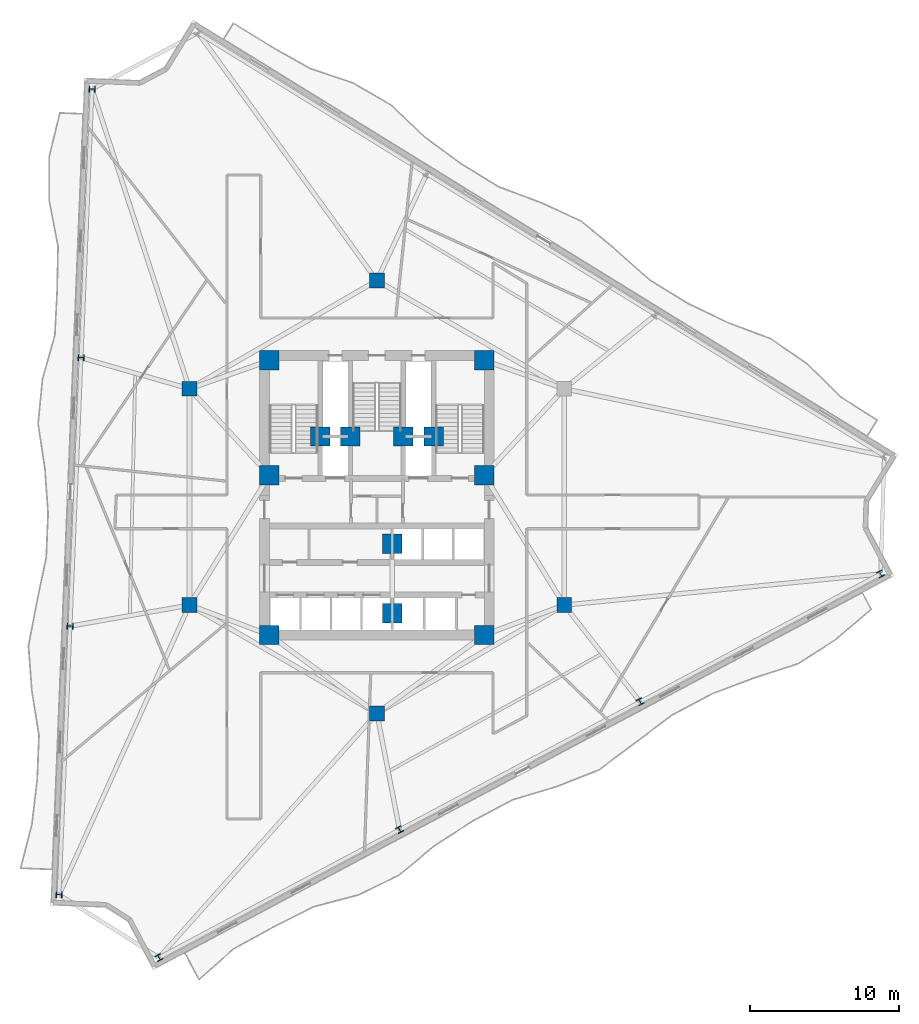
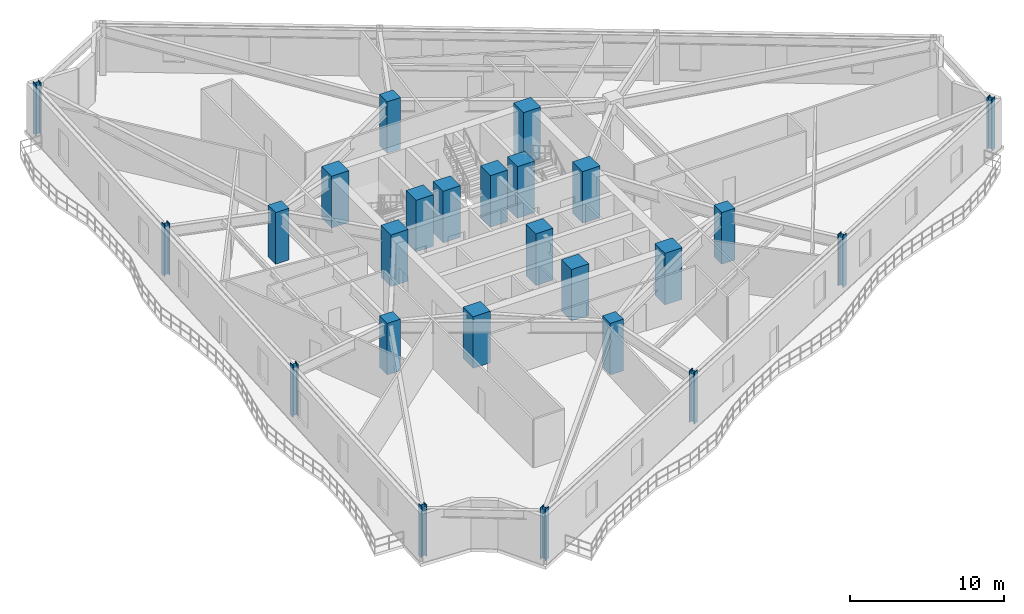
# One storey, part 1 of 12: 25 columns.
"""IFC4 building model written with IfcOpenShell, lengths in metres."""

from ifc_helpers import new_model, si_unit, direction, frame, origin, origin_2d, place, context, subcontext, project, spatial, rectangle, i_section, extrude, material, material_profile, profile_set, type_object, element, save


model = new_model("IFC4")

# Units and contexts
model_context = context("Model", 3, precision=1e-05, world=origin(), true_north=direction((0.0, 1.0)))
body_context = subcontext(model_context, "Body", "Model", "MODEL_VIEW")
ifc_project = project(units=[si_unit("LENGTHUNIT", "METRE"), si_unit("AREAUNIT", "SQUARE_METRE"), si_unit("VOLUMEUNIT", "CUBIC_METRE"), si_unit("PLANEANGLEUNIT", "RADIAN"), si_unit("MASSUNIT", "GRAM", prefix="KILO")], contexts=[model_context])

# Site, building, storey
site_placement = place(None, origin())
site = spatial("IfcSite", under=ifc_project, at=site_placement, CompositionType="ELEMENT")
building_placement = place(site_placement, origin())
building = spatial("IfcBuilding", under=site, at=building_placement, Name="Apsidion Concourse Tower", CompositionType="ELEMENT")
storey_placement = place(building_placement, frame((0.0, 0.0, 173.699951171875)))
storey = spatial("IfcBuildingStorey", under=building, at=storey_placement, Name="L40", CompositionType="ELEMENT", Elevation=173.699951171875)

# Columns
ifc_material_1 = material(Name="Concrete C50/60", Category="concrete")
ifc_material_profile_1 = material_profile(ifc_material_1, rectangle(XDim=1.0, YDim=1.0, at=origin_2d()), Name="RC 1000x1000")
ifc_profile_set_1 = profile_set([ifc_material_profile_1], Name="Concrete C50/60")
column_type_1 = type_object("IfcColumnType", Name="COL-RC-1000", PredefinedType="COLUMN", material=ifc_profile_set_1)
for number, where, z_axis, x_axis, name in (
    (1, (-12.56005859375, -7.25, 0.0), (0.0, 0.0, 1.0), (1.0, 0.0, 0.0), "L40 Interior Spine Column IC1"),
    (2, (12.56005859375, -7.25, 0.0), (0.0, 0.0, 1.0), (1.0, 0.0, 0.0), "L40 Interior Spine Column IC2"),
    (3, (0.0, 14.5, 0.0), (0.0, 0.0, 1.0), (1.0, 0.0, 0.0), "L40 Interior Spine Column IC4"),
    (4, (-12.56005859375, 7.25, 0.0), (0.0, 0.0, 1.0), (1.0, 0.0, 0.0), "L40 Interior Spine Column IC5"),
    (5, (0.0, -14.5, 0.0), (0.0, 0.0, 1.0), (1.0, 0.0, 0.0), "L40 Interior Spine Column IC6"),
):
    element("IfcColumn", number, at=place(storey_placement, frame(where, z_axis=z_axis, x_axis=x_axis)), inside=storey, type_object=column_type_1, Name=name, PredefinedType="COLUMN", context=body_context, shape_type="SweptSolid", body=[
        extrude(rectangle(XDim=1.0, YDim=1.0, at=origin_2d()), origin(), (0.0, 0.0, 1.0), 4.10009765625),
    ])
ifc_material_profile_2 = material_profile(ifc_material_1, rectangle(XDim=1.300048828125, YDim=1.300048828125, at=origin_2d()), Name="RC 1300x1300")
ifc_profile_set_2 = profile_set([ifc_material_profile_2], Name="Concrete C50/60")
column_type_2 = type_object("IfcColumnType", Name="COL-RC-1300", PredefinedType="COLUMN", material=ifc_profile_set_2)
for number, where, z_axis, x_axis, name in (
    (6, (-7.199951171875, -9.25, 0.0), (0.0, 0.0, 1.0), (1.0, 0.0, 0.0), "L40 Core Super-Column SC1"),
    (7, (7.199951171875, -9.25, 0.0), (0.0, 0.0, 1.0), (1.0, 0.0, 0.0), "L40 Core Super-Column SC2"),
    (8, (7.199951171875, 1.449951171875, 0.0), (0.0, 0.0, 1.0), (1.0, 0.0, 0.0), "L40 Core Super-Column SC3"),
    (9, (7.199951171875, 9.14990234375, 0.0), (0.0, 0.0, 1.0), (1.0, 0.0, 0.0), "L40 Core Super-Column SC4"),
    (10, (-7.199951171875, 9.14990234375, 0.0), (0.0, 0.0, 1.0), (1.0, 0.0, 0.0), "L40 Core Super-Column SC5"),
    (11, (-7.199951171875, 1.449951171875, 0.0), (0.0, 0.0, 1.0), (1.0, 0.0, 0.0), "L40 Core Super-Column SC6"),
    (12, (-3.800048828125, 4.050048828125, 0.0), (0.0, 0.0, 1.0), (1.0, 0.0, 0.0), "L40 Core Super-Column CC1"),
    (13, (3.800048828125, 4.050048828125, 0.0), (0.0, 0.0, 1.0), (1.0, 0.0, 0.0), "L40 Core Super-Column CC2"),
    (14, (-1.77490234375, 4.050048828125, 0.0), (0.0, 0.0, 1.0), (1.0, 0.0, 0.0), "L40 Core Super-Column CC3"),
    (15, (1.77490234375, 4.050048828125, 0.0), (0.0, 0.0, 1.0), (1.0, 0.0, 0.0), "L40 Core Super-Column CC4"),
    (16, (1.02490234375, -3.14990234375, 0.0), (0.0, 0.0, 1.0), (1.0, 0.0, 0.0), "L40 Core Super-Column CC5"),
    (17, (1.02490234375, -7.800048828125, 0.0), (0.0, 0.0, 1.0), (1.0, 0.0, 0.0), "L40 Core Super-Column CC6"),
):
    element("IfcColumn", number, at=place(storey_placement, frame(where, z_axis=z_axis, x_axis=x_axis)), inside=storey, type_object=column_type_2, Name=name, PredefinedType="COLUMN", context=body_context, shape_type="SweptSolid", body=[
        extrude(rectangle(XDim=1.300048828125, YDim=1.300048828125, at=origin_2d()), origin(), (0.0, 0.0, 1.0), 4.10009765625),
    ])
ifc_material_2 = material(Name="Structural steel ASTM A992 Grade 50", Category="steel")
ifc_material_profile_3 = material_profile(ifc_material_2, i_section(OverallWidth=0.406005859375, OverallDepth=0.4169921875, WebThickness=0.02978515625, FlangeThickness=0.048095703125, at=origin_2d()), Name="W14X257")
ifc_profile_set_3 = profile_set([ifc_material_profile_3], Name="Structural steel ASTM A992 Grade 50")
column_type_3 = type_object("IfcColumnType", Name="COL-W14-257", PredefinedType="COLUMN", material=ifc_profile_set_3)
for number, where, z_axis, x_axis, name in (
    (18, (-19.086181640625, 27.331298828125, 0.0), (0.0, 0.0, 1.0), (0.041003738744, 0.999158993058, 0.0), "L40 Rotated Perimeter Column PC01"),
    (19, (-19.82421875, 9.3349609375, 0.0), (0.0, 0.0, 1.0), (0.041003738744, 0.999158993058, 0.0), "L40 Rotated Perimeter Column PC02"),
    (20, (-20.56201171875, -8.661376953125, 0.0), (0.0, 0.0, 1.0), (0.041003738744, 0.999158993058, 0.0), "L40 Rotated Perimeter Column PC03"),
    (21, (-21.300048828125, -26.65771484375, 0.0), (0.0, 0.0, 1.0), (0.041003738744, 0.999158993058, 0.0), "L40 Rotated Perimeter Column PC04"),
    (22, (-14.599609375, -30.872802734375, 0.0), (0.0, 0.0, 1.0), (0.882947592859, 0.469471562786, 0.0), "L40 Rotated Perimeter Column PC05"),
    (23, (1.519775390625, -22.302001953125, 0.0), (0.0, 0.0, 1.0), (0.882947592859, 0.469471562786, 0.0), "L40 Rotated Perimeter Column PC06"),
    (24, (17.639404296875, -13.731201171875, 0.0), (0.0, 0.0, 1.0), (0.882947592859, 0.469471562786, 0.0), "L40 Rotated Perimeter Column PC07"),
    (25, (33.7587890625, -5.160400390625, 0.0), (0.0, 0.0, 1.0), (0.882947592859, 0.469471562786, 0.0), "L40 Rotated Perimeter Column PC08"),
):
    element("IfcColumn", number, at=place(storey_placement, frame(where, z_axis=z_axis, x_axis=x_axis)), inside=storey, type_object=column_type_3, Name=name, PredefinedType="COLUMN", context=body_context, shape_type="SweptSolid", body=[
        extrude(i_section(OverallWidth=0.406005859375, OverallDepth=0.4169921875, WebThickness=0.02978515625, FlangeThickness=0.048095703125, at=origin_2d()), origin(), (0.0, 0.0, 1.0), 4.10009765625),
    ])

save(model, "model.ifc")
